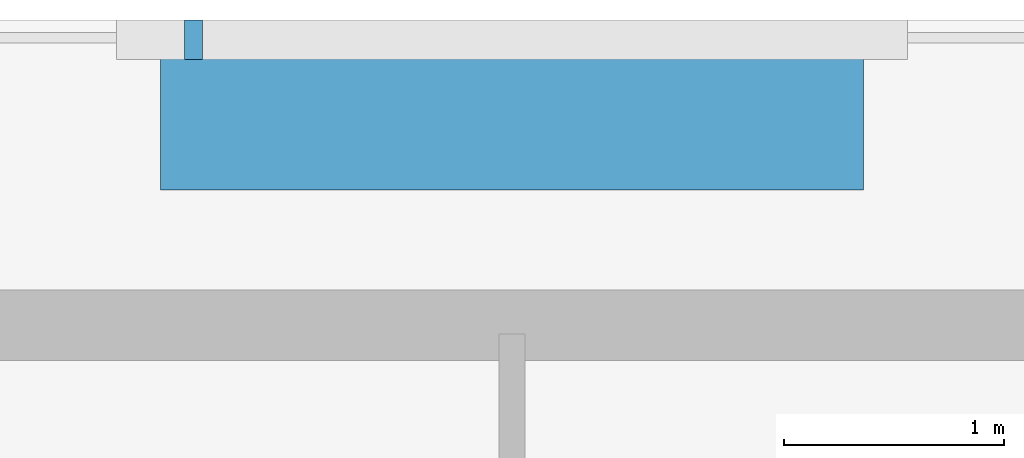
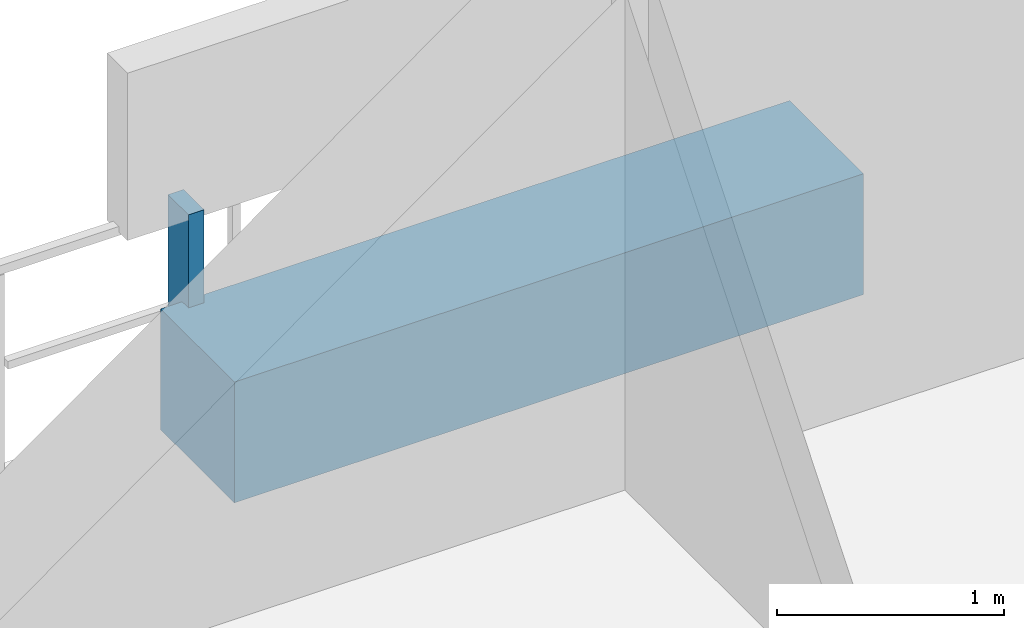
# One storey, part 29 of 33: 2 discrete accessories.
"""IFC4 building model written with IfcOpenShell, lengths in metres."""

from ifc_helpers import new_model, si_unit, direction, frame, origin, origin_2d, place, context, subcontext, project, spatial, rectangle, extrude, material, type_object, element, save


model = new_model("IFC4")

# Units and contexts
model_context = context("Model", 3, precision=1e-05, world=origin(), true_north=direction((0.0, 1.0)))
body_context = subcontext(model_context, "Body", "Model", "MODEL_VIEW")
ifc_project = project(units=[si_unit("LENGTHUNIT", "METRE"), si_unit("AREAUNIT", "SQUARE_METRE"), si_unit("VOLUMEUNIT", "CUBIC_METRE"), si_unit("PLANEANGLEUNIT", "RADIAN"), si_unit("MASSUNIT", "GRAM", prefix="KILO")], contexts=[model_context])

# Site, building, storey
site_placement = place(None, origin())
site = spatial("IfcSite", under=ifc_project, at=site_placement, CompositionType="ELEMENT")
building_placement = place(site_placement, origin())
building = spatial("IfcBuilding", under=site, at=building_placement, Name="Thornwick Lancets Civic Towers", CompositionType="ELEMENT")
storey_placement = place(building_placement, frame((0.0, 0.0, 192.89990234375)))
storey = spatial("IfcBuildingStorey", under=building, at=storey_placement, Name="L51", CompositionType="ELEMENT", Elevation=192.89990234375)

# Discrete accessories
ifc_material_1 = material(Name="Planted terracotta greenery planter", Category="masonry")
discrete_accessory_type_1 = type_object("IfcDiscreteAccessoryType", Name="ACC_PLANTER_BOX", PredefinedType="USERDEFINED", material=ifc_material_1)
discrete_accessory_1_placement = place(storey_placement, frame((88.5, 51.699951171875, 0.000244140625), z_axis=(0.0, 0.0, 1.0), x_axis=(1.0, 0.0, 0.0)))
element("IfcDiscreteAccessory", 1, at=discrete_accessory_1_placement, inside=storey, type_object=discrete_accessory_type_1, Name="L51 Tower B Balcony Greenery Planter N", ObjectType="PLANTER", PredefinedType="USERDEFINED", context=body_context, shape_type="SweptSolid", body=[
    extrude(rectangle(XDim=3.199951171875, YDim=0.64990234375, at=origin_2d()), origin(), (0.0, 0.0, 1.0), 0.64990234375),
])
ifc_material_2 = material(Name="Stainless steel S355", Category="steel")
discrete_accessory_type_2 = type_object("IfcDiscreteAccessoryType", Name="ACC_SCREEN_BRACKET", PredefinedType="BRACKET", material=ifc_material_2)
discrete_accessory_2_placement = place(storey_placement, frame((87.050048828125, 52.06005859375, 0.000244140625), z_axis=(0.0, 0.0, 1.0), x_axis=(1.0, 0.0, 0.0)))
element("IfcDiscreteAccessory", 2, at=discrete_accessory_2_placement, inside=storey, type_object=discrete_accessory_type_2, Name="L51 Tower B Balcony Screen Stanchion Bracket N-1", PredefinedType="BRACKET", context=body_context, shape_type="SweptSolid", body=[
    extrude(rectangle(XDim=0.080078125, YDim=0.179931640625, at=origin_2d()), origin(), (0.0, 0.0, 1.0), 1.14990234375),
])

save(model, "model.ifc")
